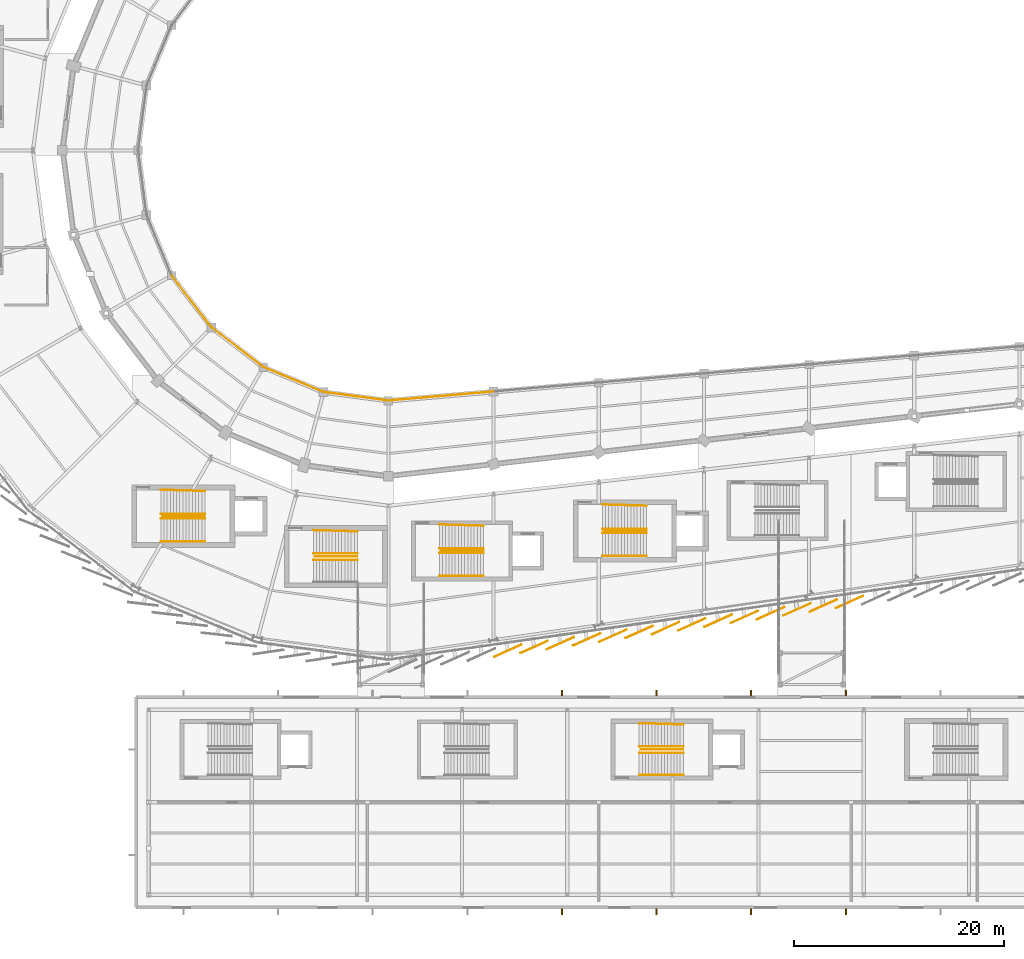
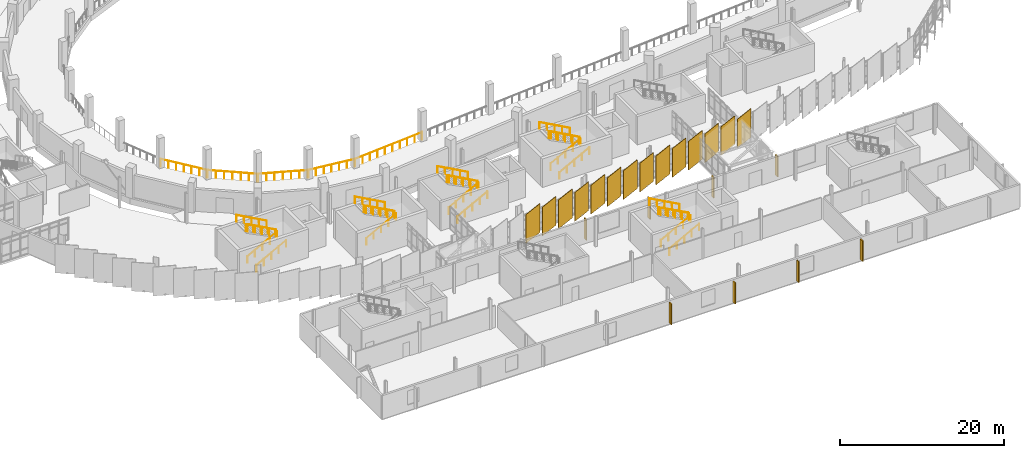
# One storey, part 117 of 125: 29 railings, 14 coverings, 8 shading devices.
"""IFC4 building model written with IfcOpenShell, lengths in metres."""

from ifc_helpers import new_model, si_unit, direction, frame, origin, origin_2d, place, context, subcontext, project, spatial, rectangle, circle, extrude, material, layer, layer_set, type_object, element, save


model = new_model("IFC4")

# Units and contexts
model_context = context("Model", 3, precision=1e-05, world=origin(), true_north=direction((0.0, 1.0)))
body_context = subcontext(model_context, "Body", "Model", "MODEL_VIEW")
ifc_project = project(units=[si_unit("LENGTHUNIT", "METRE"), si_unit("AREAUNIT", "SQUARE_METRE"), si_unit("VOLUMEUNIT", "CUBIC_METRE"), si_unit("PLANEANGLEUNIT", "RADIAN"), si_unit("MASSUNIT", "GRAM", prefix="KILO")], contexts=[model_context])

# Site, building, storey
site_placement = place(None, origin())
site = spatial("IfcSite", under=ifc_project, at=site_placement, CompositionType="ELEMENT")
building_placement = place(site_placement, origin())
building = spatial("IfcBuilding", under=site, at=building_placement, Name="Sohan Crest Arena", CompositionType="ELEMENT")
storey_placement = place(building_placement, frame((0.0, 0.0, 9.0)))
storey = spatial("IfcBuildingStorey", under=building, at=storey_placement, Name="L02", CompositionType="ELEMENT", Elevation=9.0)

# Railings
ifc_material_1 = material(Name="Powder-coated wrought steel balustrade", Category="steel")
railing_type_1 = type_object("IfcRailingType", Name="ARC-GRD-01", PredefinedType="GUARDRAIL", material=ifc_material_1)
for number, where, name in (
    (1, (80.530029296875, 43.199951171875, 2.25), "Stair well slot guard GRD-018"),
    (2, (107.030029296875, 39.89990234375, 2.25), "Stair well slot guard GRD-031"),
    (3, (122.530029296875, 41.800048828125, 2.25), "Stair well slot guard GRD-043"),
    (4, (126.030029296875, 21.0, 2.25), "Stair well slot guard GRD-096"),
    (5, (95.030029296875, 39.360107421875, 2.25), "Stair well slot guard GRD-102"),
):
    element("IfcRailing", number, at=place(storey_placement, frame(where)), inside=storey, type_object=railing_type_1, Name=name, PredefinedType="GUARDRAIL", context=body_context, shape_type="SweptSolid", body=[
        extrude(circle(Radius=0.02392578125, at=origin_2d()), frame((0.0, 0.0, 1.076171875), z_axis=(-0.87313487534, 0.0, 0.487478706678), x_axis=(0.0, -1.0, 0.0)), (0.0, 0.0, 1.0), 4.615478515625),
        extrude(circle(Radius=0.02099609375, at=origin_2d()), origin(), (0.0, 0.0, 1.0), 1.052001953125),
        extrude(circle(Radius=0.02099609375, at=origin_2d()), frame((-1.007568359375, 0.0, 0.5625)), (0.0, 0.0, 1.0), 1.052001953125),
        extrude(circle(Radius=0.02099609375, at=origin_2d()), frame((-2.01513671875, 0.0, 1.125)), (0.0, 0.0, 1.0), 1.052001953125),
        extrude(circle(Radius=0.02099609375, at=origin_2d()), frame((-3.0224609375, 0.0, 1.6875)), (0.0, 0.0, 1.0), 1.052001953125),
        extrude(circle(Radius=0.02099609375, at=origin_2d()), frame((-4.030029296875, 0.0, 2.25)), (0.0, 0.0, 1.0), 1.052001953125),
    ])
ifc_material_2 = material(Name="Laminated glass and steel sightline guard", Category="steel")
railing_type_2 = type_object("IfcRailingType", Name="ARC-GRD-02", PredefinedType="GUARDRAIL", material=ifc_material_2)
railing_1_placement = place(storey_placement, frame((77.4130859375, 66.068115234375, 0.0)))
element("IfcRailing", 6, at=railing_1_placement, inside=storey, type_object=railing_type_2, Name="Bowl gallery edge guard GRD-226", PredefinedType="GUARDRAIL", context=body_context, shape_type="SweptSolid", body=[
    extrude(circle(Radius=0.02392578125, at=origin_2d()), frame((0.0, 0.0, 1.1259765625), z_axis=(0.608829272384, -0.793301277629, 0.0), x_axis=(0.793301277629, 0.608829272384, 0.0)), (0.0, 0.0, 1.0), 6.1328125),
    extrude(circle(Radius=0.02099609375, at=origin_2d()), origin(), (0.0, 0.0, 1.0), 1.101806640625),
    extrude(circle(Radius=0.02099609375, at=origin_2d()), frame((0.622314453125, -0.810791015625, 0.0)), (0.0, 0.0, 1.0), 1.101806640625),
    extrude(circle(Radius=0.02099609375, at=origin_2d()), frame((1.24462890625, -1.621826171875, 0.0)), (0.0, 0.0, 1.0), 1.101806640625),
    extrude(circle(Radius=0.02099609375, at=origin_2d()), frame((1.866943359375, -2.4326171875, 0.0)), (0.0, 0.0, 1.0), 1.101806640625),
    extrude(circle(Radius=0.02099609375, at=origin_2d()), frame((2.4892578125, -3.243408203125, 0.0)), (0.0, 0.0, 1.0), 1.101806640625),
    extrude(circle(Radius=0.02099609375, at=origin_2d()), frame((3.111572265625, -4.054443359375, 0.0)), (0.0, 0.0, 1.0), 1.101806640625),
    extrude(circle(Radius=0.02099609375, at=origin_2d()), frame((3.73388671875, -4.865234375, 0.0)), (0.0, 0.0, 1.0), 1.101806640625),
])
railing_2_placement = place(storey_placement, frame((81.202880859375, 61.14697265625, 0.0)))
element("IfcRailing", 7, at=railing_2_placement, inside=storey, type_object=railing_type_2, Name="Bowl gallery edge guard GRD-227", PredefinedType="GUARDRAIL", context=body_context, shape_type="SweptSolid", body=[
    extrude(circle(Radius=0.02392578125, at=origin_2d()), frame((0.0, 0.0, 1.1259765625), z_axis=(0.793301277629, -0.608829272384, 0.0), x_axis=(0.608829272384, 0.793301277629, 0.0)), (0.0, 0.0, 1.0), 6.1328125),
    extrude(circle(Radius=0.02099609375, at=origin_2d()), origin(), (0.0, 0.0, 1.0), 1.101806640625),
    extrude(circle(Radius=0.02099609375, at=origin_2d()), frame((0.810791015625, -0.622314453125, 0.0)), (0.0, 0.0, 1.0), 1.101806640625),
    extrude(circle(Radius=0.02099609375, at=origin_2d()), frame((1.621826171875, -1.24462890625, 0.0)), (0.0, 0.0, 1.0), 1.101806640625),
    extrude(circle(Radius=0.02099609375, at=origin_2d()), frame((2.4326171875, -1.866943359375, 0.0)), (0.0, 0.0, 1.0), 1.101806640625),
    extrude(circle(Radius=0.02099609375, at=origin_2d()), frame((3.243408203125, -2.4892578125, 0.0)), (0.0, 0.0, 1.0), 1.101806640625),
    extrude(circle(Radius=0.02099609375, at=origin_2d()), frame((4.054443359375, -3.111572265625, 0.0)), (0.0, 0.0, 1.0), 1.101806640625),
    extrude(circle(Radius=0.02099609375, at=origin_2d()), frame((4.865234375, -3.73388671875, 0.0)), (0.0, 0.0, 1.0), 1.101806640625),
])
railing_3_placement = place(storey_placement, frame((86.136962890625, 57.3740234375, 0.0)))
element("IfcRailing", 8, at=railing_3_placement, inside=storey, type_object=railing_type_2, Name="Bowl gallery edge guard GRD-228", PredefinedType="GUARDRAIL", context=body_context, shape_type="SweptSolid", body=[
    extrude(circle(Radius=0.02392578125, at=origin_2d()), frame((0.0, 0.0, 1.1259765625), z_axis=(0.923810112157, -0.38285098495, 0.0), x_axis=(0.38285098495, 0.923810112157, 0.0)), (0.0, 0.0, 1.0), 6.13330078125),
    extrude(circle(Radius=0.02099609375, at=origin_2d()), origin(), (0.0, 0.0, 1.0), 1.101806640625),
    extrude(circle(Radius=0.02099609375, at=origin_2d()), frame((0.9443359375, -0.391357421875, 0.0)), (0.0, 0.0, 1.0), 1.101806640625),
    extrude(circle(Radius=0.02099609375, at=origin_2d()), frame((1.888671875, -0.78271484375, 0.0)), (0.0, 0.0, 1.0), 1.101806640625),
    extrude(circle(Radius=0.02099609375, at=origin_2d()), frame((2.8330078125, -1.174072265625, 0.0)), (0.0, 0.0, 1.0), 1.101806640625),
    extrude(circle(Radius=0.02099609375, at=origin_2d()), frame((3.77734375, -1.5654296875, 0.0)), (0.0, 0.0, 1.0), 1.101806640625),
    extrude(circle(Radius=0.02099609375, at=origin_2d()), frame((4.7216796875, -1.956787109375, 0.0)), (0.0, 0.0, 1.0), 1.101806640625),
    extrude(circle(Radius=0.02099609375, at=origin_2d()), frame((5.666015625, -2.34814453125, 0.0)), (0.0, 0.0, 1.0), 1.101806640625),
])
railing_4_placement = place(storey_placement, frame((91.8798828125, 55.006103515625, 0.0)))
element("IfcRailing", 9, at=railing_4_placement, inside=storey, type_object=railing_type_2, Name="Bowl gallery edge guard GRD-229", PredefinedType="GUARDRAIL", context=body_context, shape_type="SweptSolid", body=[
    extrude(circle(Radius=0.02392578125, at=origin_2d()), frame((0.0, 0.0, 1.1259765625), z_axis=(0.991432873037, -0.130617220384, 0.0), x_axis=(0.130617220384, 0.991432873037, 0.0)), (0.0, 0.0, 1.0), 6.132568359375),
    extrude(circle(Radius=0.02099609375, at=origin_2d()), origin(), (0.0, 0.0, 1.0), 1.101806640625),
    extrude(circle(Radius=0.02099609375, at=origin_2d()), frame((1.013427734375, -0.133544921875, 0.0)), (0.0, 0.0, 1.0), 1.101806640625),
    extrude(circle(Radius=0.02099609375, at=origin_2d()), frame((2.026611328125, -0.26708984375, 0.0)), (0.0, 0.0, 1.0), 1.101806640625),
    extrude(circle(Radius=0.02099609375, at=origin_2d()), frame((3.0400390625, -0.400390625, 0.0)), (0.0, 0.0, 1.0), 1.101806640625),
    extrude(circle(Radius=0.02099609375, at=origin_2d()), frame((4.053466796875, -0.533935546875, 0.0)), (0.0, 0.0, 1.0), 1.101806640625),
    extrude(circle(Radius=0.02099609375, at=origin_2d()), frame((5.066650390625, -0.66748046875, 0.0)), (0.0, 0.0, 1.0), 1.101806640625),
    extrude(circle(Radius=0.02099609375, at=origin_2d()), frame((6.080078125, -0.801025390625, 0.0)), (0.0, 0.0, 1.0), 1.101806640625),
])
railing_5_placement = place(storey_placement, frame((98.0400390625, 54.202880859375, 0.0)))
element("IfcRailing", 10, at=railing_5_placement, inside=storey, type_object=railing_type_2, Name="Bowl gallery edge guard GRD-230", PredefinedType="GUARDRAIL", context=body_context, shape_type="SweptSolid", body=[
    extrude(circle(Radius=0.02392578125, at=origin_2d()), frame((0.0, 0.0, 1.1259765625), z_axis=(0.996339849936, 0.085480427173, 0.0), x_axis=(-0.085480427173, 0.996339849936, 0.0)), (0.0, 0.0, 1.0), 9.956298828125),
    extrude(circle(Radius=0.02099609375, at=origin_2d()), origin(), (0.0, 0.0, 1.0), 1.101806640625),
    extrude(circle(Radius=0.02099609375, at=origin_2d()), frame((1.102294921875, 0.094482421875, 0.0)), (0.0, 0.0, 1.0), 1.101806640625),
    extrude(circle(Radius=0.02099609375, at=origin_2d()), frame((2.204345703125, 0.189208984375, 0.0)), (0.0, 0.0, 1.0), 1.101806640625),
    extrude(circle(Radius=0.02099609375, at=origin_2d()), frame((3.306640625, 0.28369140625, 0.0)), (0.0, 0.0, 1.0), 1.101806640625),
    extrude(circle(Radius=0.02099609375, at=origin_2d()), frame((4.408935546875, 0.378173828125, 0.0)), (0.0, 0.0, 1.0), 1.101806640625),
    extrude(circle(Radius=0.02099609375, at=origin_2d()), frame((5.510986328125, 0.472900390625, 0.0)), (0.0, 0.0, 1.0), 1.101806640625),
    extrude(circle(Radius=0.02099609375, at=origin_2d()), frame((6.61328125, 0.5673828125, 0.0)), (0.0, 0.0, 1.0), 1.101806640625),
    extrude(circle(Radius=0.02099609375, at=origin_2d()), frame((7.715576171875, 0.661865234375, 0.0)), (0.0, 0.0, 1.0), 1.101806640625),
    extrude(circle(Radius=0.02099609375, at=origin_2d()), frame((8.817626953125, 0.756591796875, 0.0)), (0.0, 0.0, 1.0), 1.101806640625),
    extrude(circle(Radius=0.02099609375, at=origin_2d()), frame((9.919921875, 0.85107421875, 0.0)), (0.0, 0.0, 1.0), 1.101806640625),
])
ifc_material_3 = material(Name="Brushed stainless steel stair handrail", Category="steel")
railing_type_3 = type_object("IfcRailingType", Name="ARC-HR-01", PredefinedType="HANDRAIL", material=ifc_material_3)
for number, where, name in (
    (11, (76.35009765625, 40.81005859375, 0.0), "Stair pitch handrail HR-061"),
    (12, (76.35009765625, 42.989990234375, 0.0), "Stair pitch handrail HR-062"),
):
    element("IfcRailing", number, at=place(storey_placement, frame(where)), inside=storey, type_object=railing_type_3, Name=name, PredefinedType="HANDRAIL", context=body_context, shape_type="SweptSolid", body=[
        extrude(circle(Radius=0.02392578125, at=origin_2d()), frame((0.0, 0.0, 0.97607421875), z_axis=(0.881477684796, 0.0, 0.472225678258), x_axis=(0.0, 1.0, 0.0)), (0.0, 0.0, 1.0), 4.7646484375),
        extrude(circle(Radius=0.02099609375, at=origin_2d()), origin(), (0.0, 0.0, 1.0), 0.951904296875),
        extrude(circle(Radius=0.02099609375, at=origin_2d()), frame((1.050048828125, 0.0, 0.5625)), (0.0, 0.0, 1.0), 0.951904296875),
        extrude(circle(Radius=0.02099609375, at=origin_2d()), frame((2.10009765625, 0.0, 1.125)), (0.0, 0.0, 1.0), 0.951904296875),
        extrude(circle(Radius=0.02099609375, at=origin_2d()), frame((3.14990234375, 0.0, 1.6875)), (0.0, 0.0, 1.0), 0.951904296875),
        extrude(circle(Radius=0.02099609375, at=origin_2d()), frame((4.199951171875, 0.0, 2.25)), (0.0, 0.0, 1.0), 0.951904296875),
    ])
railing_6_placement = place(storey_placement, frame((80.550048828125, 43.409912109375, 2.25)))
element("IfcRailing", 13, at=railing_6_placement, inside=storey, type_object=railing_type_3, Name="Stair pitch handrail HR-063", PredefinedType="HANDRAIL", context=body_context, shape_type="SweptSolid", body=[
    extrude(circle(Radius=0.02392578125, at=origin_2d()), frame((0.0, 0.0, 0.97607421875), z_axis=(-0.881477684796, 0.0, 0.472225678258), x_axis=(0.0, -1.0, 0.0)), (0.0, 0.0, 1.0), 4.7646484375),
    extrude(circle(Radius=0.02099609375, at=origin_2d()), origin(), (0.0, 0.0, 1.0), 0.951904296875),
    extrude(circle(Radius=0.02099609375, at=origin_2d()), frame((-1.050048828125, 0.0, 0.5625)), (0.0, 0.0, 1.0), 0.951904296875),
    extrude(circle(Radius=0.02099609375, at=origin_2d()), frame((-2.10009765625, 0.0, 1.125)), (0.0, 0.0, 1.0), 0.951904296875),
    extrude(circle(Radius=0.02099609375, at=origin_2d()), frame((-3.14990234375, 0.0, 1.6875)), (0.0, 0.0, 1.0), 0.951904296875),
    extrude(circle(Radius=0.02099609375, at=origin_2d()), frame((-4.199951171875, 0.0, 2.25)), (0.0, 0.0, 1.0), 0.951904296875),
])
railing_7_placement = place(storey_placement, frame((80.550048828125, 45.590087890625, 2.25)))
element("IfcRailing", 14, at=railing_7_placement, inside=storey, type_object=railing_type_3, Name="Stair pitch handrail HR-064", PredefinedType="HANDRAIL", context=body_context, shape_type="SweptSolid", body=[
    extrude(circle(Radius=0.02392578125, at=origin_2d()), frame((0.0, 0.0, 0.97607421875), z_axis=(-0.881198846469, 0.025150766356, 0.472076298847), x_axis=(-0.028529915312, -0.999592939117, 0.0)), (0.0, 0.0, 1.0), 4.76611328125),
    extrude(circle(Radius=0.02099609375, at=origin_2d()), origin(), (0.0, 0.0, 1.0), 0.951904296875),
    extrude(circle(Radius=0.02099609375, at=origin_2d()), frame((-1.050048828125, 0.030029296875, 0.5625)), (0.0, 0.0, 1.0), 0.951904296875),
    extrude(circle(Radius=0.02099609375, at=origin_2d()), frame((-2.10009765625, 0.06005859375, 1.125)), (0.0, 0.0, 1.0), 0.951904296875),
    extrude(circle(Radius=0.02099609375, at=origin_2d()), frame((-3.14990234375, 0.08984375, 1.6875)), (0.0, 0.0, 1.0), 0.951904296875),
    extrude(circle(Radius=0.02099609375, at=origin_2d()), frame((-4.199951171875, 0.119873046875, 2.25)), (0.0, 0.0, 1.0), 0.951904296875),
])
for number, where, name in (
    (15, (102.85009765625, 37.510009765625, 0.0), "Stair pitch handrail HR-105"),
    (16, (102.85009765625, 39.68994140625, 0.0), "Stair pitch handrail HR-106"),
):
    element("IfcRailing", number, at=place(storey_placement, frame(where)), inside=storey, type_object=railing_type_3, Name=name, PredefinedType="HANDRAIL", context=body_context, shape_type="SweptSolid", body=[
        extrude(circle(Radius=0.02392578125, at=origin_2d()), frame((0.0, 0.0, 0.97607421875), z_axis=(0.881477684796, 0.0, 0.472225678258), x_axis=(0.0, 1.0, 0.0)), (0.0, 0.0, 1.0), 4.7646484375),
        extrude(circle(Radius=0.02099609375, at=origin_2d()), origin(), (0.0, 0.0, 1.0), 0.951904296875),
        extrude(circle(Radius=0.02099609375, at=origin_2d()), frame((1.050048828125, 0.0, 0.5625)), (0.0, 0.0, 1.0), 0.951904296875),
        extrude(circle(Radius=0.02099609375, at=origin_2d()), frame((2.10009765625, 0.0, 1.125)), (0.0, 0.0, 1.0), 0.951904296875),
        extrude(circle(Radius=0.02099609375, at=origin_2d()), frame((3.14990234375, 0.0, 1.6875)), (0.0, 0.0, 1.0), 0.951904296875),
        extrude(circle(Radius=0.02099609375, at=origin_2d()), frame((4.199951171875, 0.0, 2.25)), (0.0, 0.0, 1.0), 0.951904296875),
    ])
railing_8_placement = place(storey_placement, frame((107.050048828125, 40.110107421875, 2.25)))
element("IfcRailing", 17, at=railing_8_placement, inside=storey, type_object=railing_type_3, Name="Stair pitch handrail HR-107", PredefinedType="HANDRAIL", context=body_context, shape_type="SweptSolid", body=[
    extrude(circle(Radius=0.02392578125, at=origin_2d()), frame((0.0, 0.0, 0.97607421875), z_axis=(-0.881477684796, 0.0, 0.472225678258), x_axis=(0.0, -1.0, 0.0)), (0.0, 0.0, 1.0), 4.7646484375),
    extrude(circle(Radius=0.02099609375, at=origin_2d()), origin(), (0.0, 0.0, 1.0), 0.951904296875),
    extrude(circle(Radius=0.02099609375, at=origin_2d()), frame((-1.050048828125, 0.0, 0.5625)), (0.0, 0.0, 1.0), 0.951904296875),
    extrude(circle(Radius=0.02099609375, at=origin_2d()), frame((-2.10009765625, 0.0, 1.125)), (0.0, 0.0, 1.0), 0.951904296875),
    extrude(circle(Radius=0.02099609375, at=origin_2d()), frame((-3.14990234375, 0.0, 1.6875)), (0.0, 0.0, 1.0), 0.951904296875),
    extrude(circle(Radius=0.02099609375, at=origin_2d()), frame((-4.199951171875, 0.0, 2.25)), (0.0, 0.0, 1.0), 0.951904296875),
])
railing_9_placement = place(storey_placement, frame((107.050048828125, 42.2900390625, 2.25)))
element("IfcRailing", 18, at=railing_9_placement, inside=storey, type_object=railing_type_3, Name="Stair pitch handrail HR-108", PredefinedType="HANDRAIL", context=body_context, shape_type="SweptSolid", body=[
    extrude(circle(Radius=0.02392578125, at=origin_2d()), frame((0.0, 0.0, 0.97607421875), z_axis=(-0.881198846469, 0.025150766356, 0.472076298847), x_axis=(-0.028529915312, -0.999592939117, 0.0)), (0.0, 0.0, 1.0), 4.76611328125),
    extrude(circle(Radius=0.02099609375, at=origin_2d()), origin(), (0.0, 0.0, 1.0), 0.951904296875),
    extrude(circle(Radius=0.02099609375, at=origin_2d()), frame((-1.050048828125, 0.030029296875, 0.5625)), (0.0, 0.0, 1.0), 0.951904296875),
    extrude(circle(Radius=0.02099609375, at=origin_2d()), frame((-2.10009765625, 0.06005859375, 1.125)), (0.0, 0.0, 1.0), 0.951904296875),
    extrude(circle(Radius=0.02099609375, at=origin_2d()), frame((-3.14990234375, 0.08984375, 1.6875)), (0.0, 0.0, 1.0), 0.951904296875),
    extrude(circle(Radius=0.02099609375, at=origin_2d()), frame((-4.199951171875, 0.119873046875, 2.25)), (0.0, 0.0, 1.0), 0.951904296875),
])
for number, where, name in (
    (19, (118.35009765625, 39.409912109375, 0.0), "Stair pitch handrail HR-145"),
    (20, (118.35009765625, 41.590087890625, 0.0), "Stair pitch handrail HR-146"),
):
    element("IfcRailing", number, at=place(storey_placement, frame(where)), inside=storey, type_object=railing_type_3, Name=name, PredefinedType="HANDRAIL", context=body_context, shape_type="SweptSolid", body=[
        extrude(circle(Radius=0.02392578125, at=origin_2d()), frame((0.0, 0.0, 0.97607421875), z_axis=(0.881477684796, 0.0, 0.472225678258), x_axis=(0.0, 1.0, 0.0)), (0.0, 0.0, 1.0), 4.7646484375),
        extrude(circle(Radius=0.02099609375, at=origin_2d()), origin(), (0.0, 0.0, 1.0), 0.951904296875),
        extrude(circle(Radius=0.02099609375, at=origin_2d()), frame((1.050048828125, 0.0, 0.5625)), (0.0, 0.0, 1.0), 0.951904296875),
        extrude(circle(Radius=0.02099609375, at=origin_2d()), frame((2.10009765625, 0.0, 1.125)), (0.0, 0.0, 1.0), 0.951904296875),
        extrude(circle(Radius=0.02099609375, at=origin_2d()), frame((3.14990234375, 0.0, 1.6875)), (0.0, 0.0, 1.0), 0.951904296875),
        extrude(circle(Radius=0.02099609375, at=origin_2d()), frame((4.199951171875, 0.0, 2.25)), (0.0, 0.0, 1.0), 0.951904296875),
    ])
railing_10_placement = place(storey_placement, frame((122.550048828125, 42.010009765625, 2.25)))
element("IfcRailing", 21, at=railing_10_placement, inside=storey, type_object=railing_type_3, Name="Stair pitch handrail HR-147", PredefinedType="HANDRAIL", context=body_context, shape_type="SweptSolid", body=[
    extrude(circle(Radius=0.02392578125, at=origin_2d()), frame((0.0, 0.0, 0.97607421875), z_axis=(-0.881477684796, 0.0, 0.472225678258), x_axis=(0.0, -1.0, 0.0)), (0.0, 0.0, 1.0), 4.7646484375),
    extrude(circle(Radius=0.02099609375, at=origin_2d()), origin(), (0.0, 0.0, 1.0), 0.951904296875),
    extrude(circle(Radius=0.02099609375, at=origin_2d()), frame((-1.050048828125, 0.0, 0.5625)), (0.0, 0.0, 1.0), 0.951904296875),
    extrude(circle(Radius=0.02099609375, at=origin_2d()), frame((-2.10009765625, 0.0, 1.125)), (0.0, 0.0, 1.0), 0.951904296875),
    extrude(circle(Radius=0.02099609375, at=origin_2d()), frame((-3.14990234375, 0.0, 1.6875)), (0.0, 0.0, 1.0), 0.951904296875),
    extrude(circle(Radius=0.02099609375, at=origin_2d()), frame((-4.199951171875, 0.0, 2.25)), (0.0, 0.0, 1.0), 0.951904296875),
])
railing_11_placement = place(storey_placement, frame((122.550048828125, 44.18994140625, 2.25)))
element("IfcRailing", 22, at=railing_11_placement, inside=storey, type_object=railing_type_3, Name="Stair pitch handrail HR-148", PredefinedType="HANDRAIL", context=body_context, shape_type="SweptSolid", body=[
    extrude(circle(Radius=0.02392578125, at=origin_2d()), frame((0.0, 0.0, 0.97607421875), z_axis=(-0.881197710057, 0.025201957411, 0.472075690047), x_axis=(-0.028587973606, -0.999591280357, 0.0)), (0.0, 0.0, 1.0), 4.76611328125),
    extrude(circle(Radius=0.02099609375, at=origin_2d()), origin(), (0.0, 0.0, 1.0), 0.951904296875),
    extrude(circle(Radius=0.02099609375, at=origin_2d()), frame((-1.050048828125, 0.030029296875, 0.5625)), (0.0, 0.0, 1.0), 0.951904296875),
    extrude(circle(Radius=0.02099609375, at=origin_2d()), frame((-2.10009765625, 0.06005859375, 1.125)), (0.0, 0.0, 1.0), 0.951904296875),
    extrude(circle(Radius=0.02099609375, at=origin_2d()), frame((-3.14990234375, 0.090087890625, 1.6875)), (0.0, 0.0, 1.0), 0.951904296875),
    extrude(circle(Radius=0.02099609375, at=origin_2d()), frame((-4.199951171875, 0.1201171875, 2.25)), (0.0, 0.0, 1.0), 0.951904296875),
])
for number, where, name in (
    (23, (121.85009765625, 18.610107421875, 0.0), "Stair pitch handrail HR-313"),
    (24, (121.85009765625, 20.68994140625, 0.0), "Stair pitch handrail HR-314"),
):
    element("IfcRailing", number, at=place(storey_placement, frame(where)), inside=storey, type_object=railing_type_3, Name=name, PredefinedType="HANDRAIL", context=body_context, shape_type="SweptSolid", body=[
        extrude(circle(Radius=0.02392578125, at=origin_2d()), frame((0.0, 0.0, 0.97607421875), z_axis=(0.881477684796, 0.0, 0.472225678258), x_axis=(0.0, 1.0, 0.0)), (0.0, 0.0, 1.0), 4.7646484375),
        extrude(circle(Radius=0.02099609375, at=origin_2d()), origin(), (0.0, 0.0, 1.0), 0.951904296875),
        extrude(circle(Radius=0.02099609375, at=origin_2d()), frame((1.050048828125, 0.0, 0.5625)), (0.0, 0.0, 1.0), 0.951904296875),
        extrude(circle(Radius=0.02099609375, at=origin_2d()), frame((2.10009765625, 0.0, 1.125)), (0.0, 0.0, 1.0), 0.951904296875),
        extrude(circle(Radius=0.02099609375, at=origin_2d()), frame((3.14990234375, 0.0, 1.6875)), (0.0, 0.0, 1.0), 0.951904296875),
        extrude(circle(Radius=0.02099609375, at=origin_2d()), frame((4.199951171875, 0.0, 2.25)), (0.0, 0.0, 1.0), 0.951904296875),
    ])
railing_12_placement = place(storey_placement, frame((126.050048828125, 21.31005859375, 2.25)))
element("IfcRailing", 25, at=railing_12_placement, inside=storey, type_object=railing_type_3, Name="Stair pitch handrail HR-315", PredefinedType="HANDRAIL", context=body_context, shape_type="SweptSolid", body=[
    extrude(circle(Radius=0.02392578125, at=origin_2d()), frame((0.0, 0.0, 0.97607421875), z_axis=(-0.881477684796, 0.0, 0.472225678258), x_axis=(0.0, -1.0, 0.0)), (0.0, 0.0, 1.0), 4.7646484375),
    extrude(circle(Radius=0.02099609375, at=origin_2d()), origin(), (0.0, 0.0, 1.0), 0.951904296875),
    extrude(circle(Radius=0.02099609375, at=origin_2d()), frame((-1.050048828125, 0.0, 0.5625)), (0.0, 0.0, 1.0), 0.951904296875),
    extrude(circle(Radius=0.02099609375, at=origin_2d()), frame((-2.10009765625, 0.0, 1.125)), (0.0, 0.0, 1.0), 0.951904296875),
    extrude(circle(Radius=0.02099609375, at=origin_2d()), frame((-3.14990234375, 0.0, 1.6875)), (0.0, 0.0, 1.0), 0.951904296875),
    extrude(circle(Radius=0.02099609375, at=origin_2d()), frame((-4.199951171875, 0.0, 2.25)), (0.0, 0.0, 1.0), 0.951904296875),
])
railing_13_placement = place(storey_placement, frame((126.050048828125, 23.389892578125, 2.25)))
element("IfcRailing", 26, at=railing_13_placement, inside=storey, type_object=railing_type_3, Name="Stair pitch handrail HR-316", PredefinedType="HANDRAIL", context=body_context, shape_type="SweptSolid", body=[
    extrude(circle(Radius=0.02392578125, at=origin_2d()), frame((0.0, 0.0, 0.97607421875), z_axis=(-0.881197710057, 0.025201957411, 0.472075690047), x_axis=(-0.028587973606, -0.999591280357, 0.0)), (0.0, 0.0, 1.0), 4.76611328125),
    extrude(circle(Radius=0.02099609375, at=origin_2d()), origin(), (0.0, 0.0, 1.0), 0.951904296875),
    extrude(circle(Radius=0.02099609375, at=origin_2d()), frame((-1.050048828125, 0.030029296875, 0.5625)), (0.0, 0.0, 1.0), 0.951904296875),
    extrude(circle(Radius=0.02099609375, at=origin_2d()), frame((-2.10009765625, 0.06005859375, 1.125)), (0.0, 0.0, 1.0), 0.951904296875),
    extrude(circle(Radius=0.02099609375, at=origin_2d()), frame((-3.14990234375, 0.090087890625, 1.6875)), (0.0, 0.0, 1.0), 0.951904296875),
    extrude(circle(Radius=0.02099609375, at=origin_2d()), frame((-4.199951171875, 0.1201171875, 2.25)), (0.0, 0.0, 1.0), 0.951904296875),
])
railing_14_placement = place(storey_placement, frame((90.85009765625, 39.050048828125, 0.0)))
element("IfcRailing", 27, at=railing_14_placement, inside=storey, type_object=railing_type_3, Name="Stair pitch handrail HR-334", PredefinedType="HANDRAIL", context=body_context, shape_type="SweptSolid", body=[
    extrude(circle(Radius=0.02392578125, at=origin_2d()), frame((0.0, 0.0, 0.97607421875), z_axis=(0.881477684796, 0.0, 0.472225678258), x_axis=(0.0, 1.0, 0.0)), (0.0, 0.0, 1.0), 4.7646484375),
    extrude(circle(Radius=0.02099609375, at=origin_2d()), origin(), (0.0, 0.0, 1.0), 0.951904296875),
    extrude(circle(Radius=0.02099609375, at=origin_2d()), frame((1.050048828125, 0.0, 0.5625)), (0.0, 0.0, 1.0), 0.951904296875),
    extrude(circle(Radius=0.02099609375, at=origin_2d()), frame((2.10009765625, 0.0, 1.125)), (0.0, 0.0, 1.0), 0.951904296875),
    extrude(circle(Radius=0.02099609375, at=origin_2d()), frame((3.14990234375, 0.0, 1.6875)), (0.0, 0.0, 1.0), 0.951904296875),
    extrude(circle(Radius=0.02099609375, at=origin_2d()), frame((4.199951171875, 0.0, 2.25)), (0.0, 0.0, 1.0), 0.951904296875),
])
railing_15_placement = place(storey_placement, frame((95.050048828125, 39.669921875, 2.25)))
element("IfcRailing", 28, at=railing_15_placement, inside=storey, type_object=railing_type_3, Name="Stair pitch handrail HR-335", PredefinedType="HANDRAIL", context=body_context, shape_type="SweptSolid", body=[
    extrude(circle(Radius=0.02392578125, at=origin_2d()), frame((0.0, 0.0, 0.97607421875), z_axis=(-0.881477684796, 0.0, 0.472225678258), x_axis=(0.0, -1.0, 0.0)), (0.0, 0.0, 1.0), 4.7646484375),
    extrude(circle(Radius=0.02099609375, at=origin_2d()), origin(), (0.0, 0.0, 1.0), 0.951904296875),
    extrude(circle(Radius=0.02099609375, at=origin_2d()), frame((-1.050048828125, 0.0, 0.5625)), (0.0, 0.0, 1.0), 0.951904296875),
    extrude(circle(Radius=0.02099609375, at=origin_2d()), frame((-2.10009765625, 0.0, 1.125)), (0.0, 0.0, 1.0), 0.951904296875),
    extrude(circle(Radius=0.02099609375, at=origin_2d()), frame((-3.14990234375, 0.0, 1.6875)), (0.0, 0.0, 1.0), 0.951904296875),
    extrude(circle(Radius=0.02099609375, at=origin_2d()), frame((-4.199951171875, 0.0, 2.25)), (0.0, 0.0, 1.0), 0.951904296875),
])
railing_16_placement = place(storey_placement, frame((95.050048828125, 41.75, 2.25)))
element("IfcRailing", 29, at=railing_16_placement, inside=storey, type_object=railing_type_3, Name="Stair pitch handrail HR-336", PredefinedType="HANDRAIL", context=body_context, shape_type="SweptSolid", body=[
    extrude(circle(Radius=0.02392578125, at=origin_2d()), frame((0.0, 0.0, 0.97607421875), z_axis=(-0.881197710057, 0.025201957411, 0.472075690047), x_axis=(-0.028587973606, -0.999591280357, 0.0)), (0.0, 0.0, 1.0), 4.76611328125),
    extrude(circle(Radius=0.02099609375, at=origin_2d()), origin(), (0.0, 0.0, 1.0), 0.951904296875),
    extrude(circle(Radius=0.02099609375, at=origin_2d()), frame((-1.050048828125, 0.030029296875, 0.5625)), (0.0, 0.0, 1.0), 0.951904296875),
    extrude(circle(Radius=0.02099609375, at=origin_2d()), frame((-2.10009765625, 0.06005859375, 1.125)), (0.0, 0.0, 1.0), 0.951904296875),
    extrude(circle(Radius=0.02099609375, at=origin_2d()), frame((-3.14990234375, 0.090087890625, 1.6875)), (0.0, 0.0, 1.0), 0.951904296875),
    extrude(circle(Radius=0.02099609375, at=origin_2d()), frame((-4.199951171875, 0.1201171875, 2.25)), (0.0, 0.0, 1.0), 0.951904296875),
])

# Shading devices
ifc_material_4 = material(Name="Glazed terracotta ceramic solar fin", Category="masonry")
ifc_layer_1 = layer(ifc_material_4, 0.070068359375, Name="Glazed terracotta ceramic solar fin")
ifc_layer_set_1 = layer_set([ifc_layer_1], Name="Glazed terracotta ceramic solar fin")
shading_device_type = type_object("IfcShadingDeviceType", Name="ARC-SHD-FIN1", PredefinedType="USERDEFINED", material=ifc_layer_set_1)
for number, where, z_axis, x_axis, name in (
    (30, (114.5, 5.60009765625, 0.199951171875), (0.0, 0.0, 1.0), (1.0, 0.0, 0.0), "Catalan terracotta facade fin FIN-079"),
    (31, (123.5, 5.60009765625, 0.199951171875), (0.0, 0.0, 1.0), (1.0, 0.0, 0.0), "Catalan terracotta facade fin FIN-080"),
    (32, (132.5, 5.60009765625, 0.199951171875), (0.0, 0.0, 1.0), (1.0, 0.0, 0.0), "Catalan terracotta facade fin FIN-081"),
    (33, (141.5, 5.60009765625, 0.199951171875), (0.0, 0.0, 1.0), (1.0, 0.0, 0.0), "Catalan terracotta facade fin FIN-082"),
    (34, (141.5, 26.39990234375, 0.199951171875), (0.0, 0.0, 1.0), (-1.0, 0.0, 0.0), "Catalan terracotta facade fin FIN-089"),
    (35, (132.5, 26.39990234375, 0.199951171875), (0.0, 0.0, 1.0), (-1.0, 0.0, 0.0), "Catalan terracotta facade fin FIN-090"),
    (36, (123.5, 26.39990234375, 0.199951171875), (0.0, 0.0, 1.0), (-1.0, 0.0, 0.0), "Catalan terracotta facade fin FIN-091"),
    (37, (114.5, 26.39990234375, 0.199951171875), (0.0, 0.0, 1.0), (-1.0, 0.0, 0.0), "Catalan terracotta facade fin FIN-092"),
):
    element("IfcShadingDevice", number, at=place(storey_placement, frame(where, z_axis=z_axis, x_axis=x_axis)), inside=storey, type_object=shading_device_type, Name=name, ObjectType="FIN", PredefinedType="USERDEFINED", context=body_context, shape_type="SweptSolid", body=[
        extrude(rectangle(XDim=0.139892578125, YDim=0.550048828125, at=origin_2d()), origin(), (0.0, 0.0, 1.0), 3.10009765625),
    ])

# Coverings
ifc_material_5 = material(Name="Glazed ivory trencadis ceramic cladding", Category="masonry")
ifc_layer_2 = layer(ifc_material_5, 0.06494140625, Name="Glazed ivory trencadis ceramic cladding")
ifc_layer_set_2 = layer_set([ifc_layer_2], Name="Glazed ivory trencadis ceramic cladding")
covering_type_1 = type_object("IfcCoveringType", Name="COV-SC-IV", PredefinedType="CLADDING", material=ifc_layer_set_2)
for number, where, z_axis, x_axis, name in (
    (38, (109.35693359375, 30.405029296875, -0.2001953125), (0.0, 0.0, 1.0), (0.912834177233, 0.408330460381, 0.0), "Rotated trencadis ceramic scale panel SC-0185"),
    (39, (111.85693359375, 30.761962890625, -0.2001953125), (0.0, 0.0, 1.0), (0.912834177233, 0.408330460381, 0.0), "Rotated trencadis ceramic scale panel SC-0186"),
    (40, (116.85693359375, 31.47607421875, -0.2001953125), (0.0, 0.0, 1.0), (0.912834177233, 0.408330460381, 0.0), "Rotated trencadis ceramic scale panel SC-0188"),
    (41, (119.35791015625, 31.8330078125, -0.2001953125), (0.0, 0.0, 1.0), (0.912834177233, 0.408330460381, 0.0), "Rotated trencadis ceramic scale panel SC-0189"),
    (42, (124.35791015625, 32.548095703125, -0.2001953125), (0.0, 0.0, 1.0), (0.912834177233, 0.408330460381, 0.0), "Rotated trencadis ceramic scale panel SC-0191"),
    (43, (126.85791015625, 32.905029296875, -0.2001953125), (0.0, 0.0, 1.0), (0.912834177233, 0.408330460381, 0.0), "Rotated trencadis ceramic scale panel SC-0192"),
    (44, (131.85693359375, 33.618896484375, -0.2001953125), (0.0, 0.0, 1.0), (0.912834177233, 0.408330460381, 0.0), "Rotated trencadis ceramic scale panel SC-0194"),
    (45, (134.35693359375, 33.97607421875, -0.2001953125), (0.0, 0.0, 1.0), (0.912834177233, 0.408330460381, 0.0), "Rotated trencadis ceramic scale panel SC-0195"),
    (46, (136.85693359375, 34.3330078125, -0.2001953125), (0.0, 0.0, 1.0), (0.912834177233, 0.408330460381, 0.0), "Rotated trencadis ceramic scale panel SC-0196"),
    (47, (139.35791015625, 34.68994140625, -0.2001953125), (0.0, 0.0, 1.0), (0.912834177233, 0.408330460381, 0.0), "Rotated trencadis ceramic scale panel SC-0197"),
    (48, (141.85791015625, 35.048095703125, -0.2001953125), (0.0, 0.0, 1.0), (0.912834177233, 0.408330460381, 0.0), "Rotated trencadis ceramic scale panel SC-0198"),
):
    element("IfcCovering", number, at=place(storey_placement, frame(where, z_axis=z_axis, x_axis=x_axis)), inside=storey, type_object=covering_type_1, Name=name, PredefinedType="CLADDING", context=body_context, shape_type="SweptSolid", body=[
        extrude(rectangle(XDim=2.85009765625, YDim=0.06494140625, at=origin_2d()), origin(), (0.0, 0.0, 1.0), 4.300048828125),
    ])
ifc_material_6 = material(Name="Glazed terracotta trencadis ceramic cladding", Category="masonry")
ifc_layer_3 = layer(ifc_material_6, 0.074951171875, Name="Glazed terracotta trencadis ceramic cladding")
ifc_layer_set_3 = layer_set([ifc_layer_3], Name="Glazed terracotta trencadis ceramic cladding")
covering_type_2 = type_object("IfcCoveringType", Name="COV-SC-TC", PredefinedType="CLADDING", material=ifc_layer_set_3)
for number, where, z_axis, x_axis, name in (
    (49, (114.35693359375, 31.118896484375, -0.2001953125), (0.0, 0.0, 1.0), (0.912834177233, 0.408330460381, 0.0), "Rotated trencadis ceramic scale panel SC-0187"),
    (50, (121.85791015625, 32.19091796875, -0.2001953125), (0.0, 0.0, 1.0), (0.912834177233, 0.408330460381, 0.0), "Rotated trencadis ceramic scale panel SC-0190"),
    (51, (129.35693359375, 33.261962890625, -0.2001953125), (0.0, 0.0, 1.0), (0.912834177233, 0.408330460381, 0.0), "Rotated trencadis ceramic scale panel SC-0193"),
):
    element("IfcCovering", number, at=place(storey_placement, frame(where, z_axis=z_axis, x_axis=x_axis)), inside=storey, type_object=covering_type_2, Name=name, PredefinedType="CLADDING", context=body_context, shape_type="SweptSolid", body=[
        extrude(rectangle(XDim=2.85009765625, YDim=0.074951171875, at=origin_2d()), origin(), (0.0, 0.0, 1.0), 4.300048828125),
    ])

save(model, "model.ifc")
